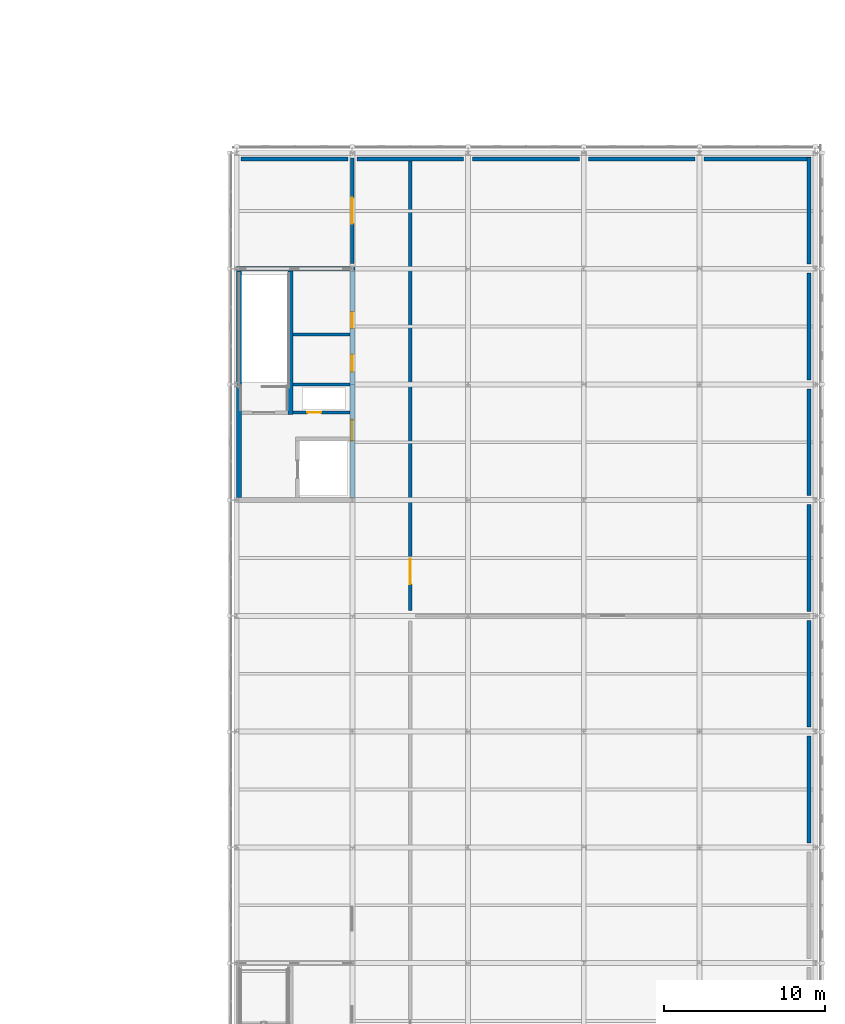
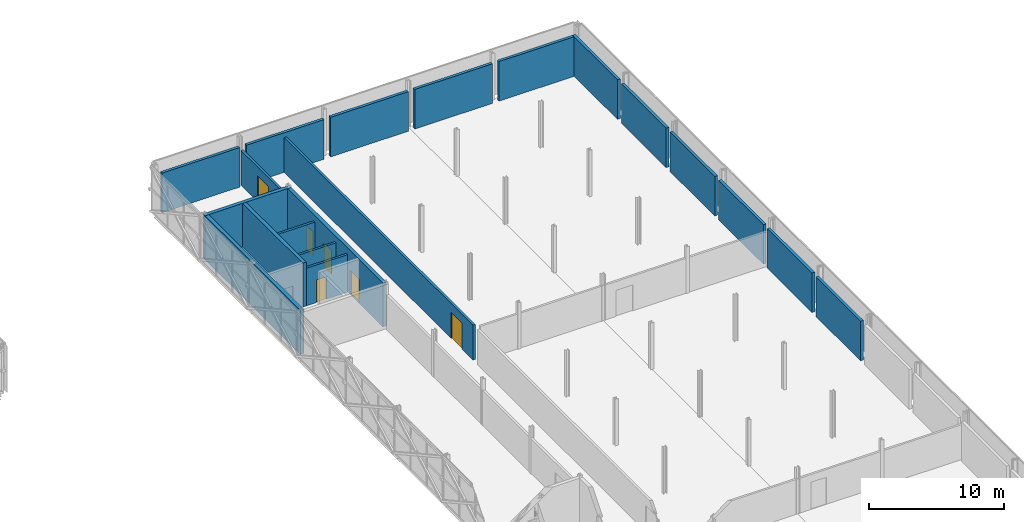
# One storey, part 126 of 146: 20 walls, 6 doors, 6 openings.
"""IFC4 building model written with IfcOpenShell, lengths in metres."""

import ifcopenshell
import ifcopenshell.guid

model = None  # the IFC model being written
_history = None  # IfcOwnerHistory: only IFC2X3 demands one
_inside = {}  # id of a spatial element -> (the spatial element, [elements in it])
_under = {}  # id of a project, library or spatial element -> (it, [spatial elements below it])
_declared = {}  # id of a project -> (the project, [libraries it declares])
_typed = {}  # id of a type object -> (the type object, [elements of that type])
_made_of = {}  # id of a material, layer set ... -> (it, [elements and type objects made of it])


def new_model(schema):
    """Start an empty IFC model of exactly this schema.

    Asked for "IFC4X3", IfcOpenShell would pick the latest addendum, in which some entities
    have other attributes; the version numbers below select the first issue.
    IFC2X3 requires an IfcOwnerHistory on every rooted entity: one is made here for all.
    """
    global model, _history
    if schema == "IFC4X3":
        model = ifcopenshell.file(schema_version=(4, 3, 0, 0))
    else:
        model = ifcopenshell.file(schema=schema)
    _inside.clear()
    _under.clear()
    _declared.clear()
    _typed.clear()
    _made_of.clear()
    _history = None
    if model.schema == "IFC2X3":
        org = make("IfcOrganization", Name="unknown")
        user = make(
            "IfcPersonAndOrganization",
            ThePerson=make("IfcPerson", FamilyName="unknown"),
            TheOrganization=org,
        )
        app = make(
            "IfcApplication",
            ApplicationDeveloper=org,
            Version="unknown",
            ApplicationFullName="unknown",
            ApplicationIdentifier="unknown",
        )
        _history = make(
            "IfcOwnerHistory",
            OwningUser=user,
            OwningApplication=app,
            ChangeAction="ADDED",
            CreationDate=0,
        )
    return model


def make(cls, **values):
    """One entity of the class cls with the attributes given. An attribute that is None is left unset."""
    return model.create_entity(
        cls, **{name: value for name, value in values.items() if value is not None}
    )


def rooted(cls, **values):
    """An entity with a GlobalId (a new one), such as an element, a storey or a relation."""
    return make(cls, GlobalId=ifcopenshell.guid.new(), OwnerHistory=_history, **values)


def si_unit(unit_type, name, prefix=None):
    """IfcSIUnit, for example si_unit("LENGTHUNIT", "METRE", prefix="MILLI")."""
    return make("IfcSIUnit", UnitType=unit_type, Prefix=prefix, Name=name)


def assignment(units):
    """IfcUnitAssignment: the units of a project."""
    return None if units is None else make("IfcUnitAssignment", Units=units)


def point(xyz):
    """IfcCartesianPoint."""
    return None if xyz is None else make("IfcCartesianPoint", Coordinates=xyz)


def direction(xyz):
    """IfcDirection."""
    return None if xyz is None else make("IfcDirection", DirectionRatios=xyz)


def frame(location, z_axis=None, x_axis=None):
    """IfcAxis2Placement3D, a coordinate frame: its origin and axes. An axis left out is left unset."""
    return make(
        "IfcAxis2Placement3D",
        Location=point(location),
        Axis=direction(z_axis),
        RefDirection=direction(x_axis),
    )


def frame_2d(location, x_axis=None):
    """IfcAxis2Placement2D, a coordinate frame in the plane: its origin and x axis."""
    return make(
        "IfcAxis2Placement2D", Location=point(location), RefDirection=direction(x_axis)
    )


def origin():
    """The frame at (0, 0, 0) with its axes left unset."""
    return frame((0.0, 0.0, 0.0))


def place(relative_to, where):
    """IfcLocalPlacement: puts the frame where relative to a parent placement (None: the world)."""
    return make(
        "IfcLocalPlacement", PlacementRelTo=relative_to, RelativePlacement=where
    )


def context(
    kind, dimensions, precision=None, world=None, true_north=None, identifier=None
):
    """IfcGeometricRepresentationContext, for example the 3D "Model" context."""
    return make(
        "IfcGeometricRepresentationContext",
        ContextIdentifier=identifier,
        ContextType=kind,
        CoordinateSpaceDimension=dimensions,
        Precision=precision,
        WorldCoordinateSystem=world,
        TrueNorth=true_north,
    )


def subcontext(parent, identifier, kind, view, scale=None):
    """IfcGeometricRepresentationSubContext, for example "Body" below "Model"."""
    return make(
        "IfcGeometricRepresentationSubContext",
        ContextIdentifier=identifier,
        ContextType=kind,
        ParentContext=parent,
        TargetScale=scale,
        TargetView=view,
    )


def project(units=None, contexts=None):
    """IfcProject with its units and contexts."""
    return rooted(
        "IfcProject",
        Name="project",
        RepresentationContexts=contexts,
        UnitsInContext=assignment(units),
    )


def spatial(cls, under=None, at=None, **own):
    """A site, building, storey or space (cls), placed at a placement, below another one or the project."""
    s = rooted(cls, ObjectPlacement=at, **own)
    if under is not None:
        _under.setdefault(under.id(), (under, []))[1].append(s)
    return s


def profile(cls, at=None, kind="AREA", **sizes):
    """A parametric profile (cls). Its sizes go by their IFC names, for example OverallWidth=200.0."""
    return make(cls, ProfileType=kind, Position=at, **sizes)


def rectangle(**sizes):
    """IfcRectangleProfileDef."""
    return profile("IfcRectangleProfileDef", **sizes)


def extrude(swept, where, along, depth):
    """IfcExtrudedAreaSolid: the profile swept, set in the frame where, extruded along a direction by depth."""
    return make(
        "IfcExtrudedAreaSolid",
        SweptArea=swept,
        Position=where,
        ExtrudedDirection=direction(along),
        Depth=depth,
    )


def shape(context_of_items, identifier, shape_type, items):
    """IfcShapeRepresentation: the items that make up one representation, for example the "Body"."""
    return make(
        "IfcShapeRepresentation",
        ContextOfItems=context_of_items,
        RepresentationIdentifier=identifier,
        RepresentationType=shape_type,
        Items=items,
    )


def material(Name=None, Category=None):
    """IfcMaterial."""
    return make("IfcMaterial", Name=Name, Category=Category)


def layer(
    of_material, thickness, ventilated=None, Name=None, Category=None, Priority=None
):
    """IfcMaterialLayer: one layer of a wall or slab, of a material (None: an air gap)."""
    return make(
        "IfcMaterialLayer",
        Material=of_material,
        LayerThickness=thickness,
        IsVentilated=ventilated,
        Name=Name,
        Category=Category,
        Priority=Priority,
    )


def layer_set(layers, Name=None):
    """IfcMaterialLayerSet."""
    return make("IfcMaterialLayerSet", MaterialLayers=layers, LayerSetName=Name)


def made_of(thing, what):
    """Note that an element or type object is made of a material, layer set ...; save() writes the relation."""
    if what is not None:
        _made_of.setdefault(what.id(), (what, []))[1].append(thing)
    return thing


def type_object(cls, material=None, **own):
    """A type object (cls), such as IfcWallType, which elements share."""
    return made_of(rooted(cls, **own), material)


def element(
    cls,
    number,
    at=None,
    inside=None,
    cuts=None,
    type_object=None,
    material=None,
    context=None,
    identifier="Body",
    shape_type=None,
    held_by="IfcProductDefinitionShape",
    body=None,
    shapes=None,
    **own,
):
    """One element of the class cls, such as IfcWall. Its Tag is "e" and its number.

    at: its placement. inside: the storey or other place that contains it. cuts: it is an
    opening in that element (IfcRelVoidsElement). A single representation is given by context,
    identifier, shape_type and body (its items); several are given by shapes. held_by: the class
    of the entity that holds the representations. save() writes the other relations.
    """
    e = rooted(cls, Tag="e%d" % number, ObjectPlacement=at, **own)
    if body is not None:
        shapes = [shape(context, identifier, shape_type, body)]
    if shapes is not None:
        e.Representation = make(held_by, Representations=shapes)
    if inside is not None:
        _inside.setdefault(inside.id(), (inside, []))[1].append(e)
    if cuts is not None:
        rooted(
            "IfcRelVoidsElement", RelatingBuildingElement=cuts, RelatedOpeningElement=e
        )
    if type_object is not None:
        _typed.setdefault(type_object.id(), (type_object, []))[1].append(e)
    return made_of(e, material)


def fill(opening, filler):
    """IfcRelFillsElement: the door or window that sits in an opening."""
    return rooted(
        "IfcRelFillsElement",
        RelatingOpeningElement=opening,
        RelatedBuildingElement=filler,
    )


def aggregate(whole, parts):
    """IfcRelAggregates: a whole, such as a stair, and the parts it consists of."""
    return rooted("IfcRelAggregates", RelatingObject=whole, RelatedObjects=parts)


def save(model, path):
    """Write the relations noted so far, then the file.

    IfcRelAggregates (storeys below a building ...), IfcRelContainedInSpatialStructure (elements
    in a storey), IfcRelDefinesByType, IfcRelAssociatesMaterial and IfcRelDeclares: one each for
    every whole, place, type object, material and project.
    """
    for whole, parts in _under.values():
        aggregate(whole, parts)
    for where, things in _inside.values():
        rooted(
            "IfcRelContainedInSpatialStructure",
            RelatedElements=things,
            RelatingStructure=where,
        )
    for kind, things in _typed.values():
        rooted("IfcRelDefinesByType", RelatedObjects=things, RelatingType=kind)
    for what, things in _made_of.values():
        rooted("IfcRelAssociatesMaterial", RelatedObjects=things, RelatingMaterial=what)
    for by, libraries in _declared.values():
        rooted("IfcRelDeclares", RelatingContext=by, RelatedDefinitions=libraries)
    model.write(path)


model = new_model("IFC4")

# Units and contexts
model_context = context("Model", 3, precision=1e-05, world=origin(), true_north=direction((0.0, 1.0)))
body_context = subcontext(model_context, "Body", "Model", "MODEL_VIEW")
ifc_project = project(units=[si_unit("LENGTHUNIT", "METRE"), si_unit("AREAUNIT", "SQUARE_METRE"), si_unit("VOLUMEUNIT", "CUBIC_METRE"), si_unit("PLANEANGLEUNIT", "RADIAN"), si_unit("MASSUNIT", "GRAM", prefix="KILO")], contexts=[model_context])

# Site, building, storey
site_placement = place(None, origin())
site = spatial("IfcSite", under=ifc_project, at=site_placement, CompositionType="ELEMENT")
building_placement = place(site_placement, origin())
building = spatial("IfcBuilding", under=site, at=building_placement, Name="Zlatovets Crest Museum", CompositionType="ELEMENT")
storey_placement = place(building_placement, frame((0.0, 0.0, 4.5)))
storey = spatial("IfcBuildingStorey", under=building, at=storey_placement, Name="L01", CompositionType="ELEMENT", Elevation=4.5)

# Walls
ifc_material_1 = material(Name="Concrete C35/45", Category="concrete")
ifc_layer_1 = layer(ifc_material_1, 0.300048828125)
ifc_layer_set_1 = layer_set([ifc_layer_1], Name="Concrete C35/45")
wall_type_1 = type_object("IfcWallType", Name="CoreWall_SW01", PredefinedType="SHEAR", material=ifc_layer_set_1)
wall_1_placement = place(storey_placement, frame((129.60009765625, 93.60009765625, 0.0), z_axis=(0.0, 0.0, 1.0), x_axis=(1.0, 0.0, 0.0)))
element("IfcWall", 1, at=wall_1_placement, inside=storey, type_object=wall_type_1, Name="Core C7 L01 North Shear Wall", PredefinedType="SHEAR", context=body_context, shape_type="SweptSolid", body=[
    extrude(rectangle(XDim=7.349853515625, YDim=0.300048828125, at=frame_2d((3.6748046875, 0.0))), origin(), (0.0, 0.0, 1.0), 3.97998046875),
])
wall_2_placement = place(storey_placement, frame((129.75, 79.35009765625, 0.0), z_axis=(0.0, 0.0, 1.0), x_axis=(0.0, 1.0, 0.0)))
element("IfcWall", 2, at=wall_2_placement, inside=storey, type_object=wall_type_1, Name="Core C7 L01 Perimeter Shear Wall", PredefinedType="SHEAR", context=body_context, shape_type="SweptSolid", body=[
    extrude(rectangle(XDim=14.099853515625, YDim=0.300048828125, at=frame_2d((7.0498046875, 0.0))), origin(), (0.0, 0.0, 1.0), 3.97998046875),
])

# Wall, openings, doors
wall_3_placement = place(storey_placement, frame((136.800048828125, 79.35009765625, 0.0), z_axis=(0.0, 0.0, 1.0), x_axis=(0.0, 1.0, 0.0)))
wall_3 = element("IfcWall", 3, at=wall_3_placement, inside=storey, type_object=wall_type_1, Name="Core C7 L01 Spine Shear Wall", PredefinedType="SHEAR", context=body_context, shape_type="SweptSolid", body=[
    extrude(rectangle(XDim=14.099853515625, YDim=0.300048828125, at=frame_2d((7.0498046875, 0.0))), origin(), (0.0, 0.0, 1.0), 3.97998046875),
])
opening_1_placement = place(wall_3_placement, frame((3.550048828125, 0.0, 0.0)))
opening_1 = element("IfcOpeningElement", 4, at=opening_1_placement, cuts=wall_3, Name="Opening FD-01", PredefinedType="OPENING", context=body_context, shape_type="SweptSolid", body=[
    extrude(rectangle(XDim=1.300048828125, YDim=2.199951171875, at=frame_2d((0.64990234375, 1.10009765625))), frame((0.0, 0.16015625, 0.0), z_axis=(0.0, -1.0, 0.0), x_axis=(1.0, 0.0, 0.0)), (0.0, 0.0, 1.0), 0.320068359375),
])
opening_2_placement = place(wall_3_placement, frame((7.85009765625, 0.0, 0.0)))
opening_2 = element("IfcOpeningElement", 5, at=opening_2_placement, cuts=wall_3, Name="Opening ID-02", PredefinedType="OPENING", context=body_context, shape_type="SweptSolid", body=[
    extrude(rectangle(XDim=1.050048828125, YDim=2.14990234375, at=frame_2d((0.52490234375, 1.074951171875))), frame((0.0, 0.16015625, 0.0), z_axis=(0.0, -1.0, 0.0), x_axis=(1.0, 0.0, 0.0)), (0.0, 0.0, 1.0), 0.320068359375),
])
opening_3_placement = place(wall_3_placement, frame((10.550048828125, 0.0, 0.0)))
opening_3 = element("IfcOpeningElement", 6, at=opening_3_placement, cuts=wall_3, Name="Opening ID-01", PredefinedType="OPENING", context=body_context, shape_type="SweptSolid", body=[
    extrude(rectangle(XDim=1.0, YDim=2.14990234375, at=frame_2d((0.5, 1.074951171875))), frame((0.0, 0.16015625, 0.0), z_axis=(0.0, -1.0, 0.0), x_axis=(1.0, 0.0, 0.0)), (0.0, 0.0, 1.0), 0.320068359375),
])
ifc_material_2 = material(Name="Smoke-sealed steel fire door", Category="steel")
door_type_1 = type_object("IfcDoorType", Name="IntDoor_FD-01", OperationType="NOTDEFINED", PredefinedType="DOOR", material=ifc_material_2)
door_1_placement = place(opening_1_placement, origin())
door_1 = element("IfcDoor", 7, at=door_1_placement, inside=storey, type_object=door_type_1, Name="CDOOR-C7-L01-LOB Core C7 L01 Lobby Fire Door", OperationType="SINGLE_SWING_LEFT", OverallHeight=2.199951171875, OverallWidth=1.300048828125, PredefinedType="DOOR", context=body_context, shape_type="SweptSolid", body=[
    extrude(rectangle(XDim=1.300048828125, YDim=2.199951171875, at=frame_2d((0.64990234375, 1.10009765625))), frame((0.0, 0.02490234375, 0.0), z_axis=(0.0, -1.0, 0.0), x_axis=(1.0, 0.0, 0.0)), (0.0, 0.0, 1.0), 0.050048828125),
])
fill(opening_1, door_1)
ifc_material_3 = material(Name="Solid oak museum room door")
door_type_2 = type_object("IfcDoorType", Name="IntDoor_ID-01", OperationType="NOTDEFINED", PredefinedType="DOOR", material=ifc_material_3)
door_2_placement = place(opening_3_placement, origin())
door_2 = element("IfcDoor", 8, at=door_2_placement, inside=storey, type_object=door_type_2, Name="CDOOR-C7-L01-WC Core C7 L01 Public Restroom Door", OperationType="SINGLE_SWING_RIGHT", OverallHeight=2.14990234375, OverallWidth=1.0, PredefinedType="DOOR", context=body_context, shape_type="SweptSolid", body=[
    extrude(rectangle(XDim=1.0, YDim=2.14990234375, at=frame_2d((0.5, 1.074951171875))), frame((0.0, 0.02490234375, 0.0), z_axis=(0.0, -1.0, 0.0), x_axis=(1.0, 0.0, 0.0)), (0.0, 0.0, 1.0), 0.050048828125),
])
fill(opening_3, door_2)
ifc_material_4 = material(Name="Accessible sanitary room door")
door_type_3 = type_object("IfcDoorType", Name="IntDoor_ID-02", OperationType="NOTDEFINED", PredefinedType="DOOR", material=ifc_material_4)
door_3_placement = place(opening_2_placement, origin())
door_3 = element("IfcDoor", 9, at=door_3_placement, inside=storey, type_object=door_type_3, Name="CDOOR-C7-L01-AWC Core C7 L01 Accessible WC Door", OperationType="SINGLE_SWING_LEFT", OverallHeight=2.14990234375, OverallWidth=1.050048828125, PredefinedType="DOOR", context=body_context, shape_type="SweptSolid", body=[
    extrude(rectangle(XDim=1.050048828125, YDim=2.14990234375, at=frame_2d((0.52490234375, 1.074951171875))), frame((0.0, 0.02490234375, 0.0), z_axis=(0.0, -1.0, 0.0), x_axis=(1.0, 0.0, 0.0)), (0.0, 0.0, 1.0), 0.050048828125),
])
fill(opening_2, door_3)

# Walls
wall_4_placement = place(storey_placement, frame((132.949951171875, 84.5400390625, 0.0), z_axis=(0.0, 0.0, 1.0), x_axis=(0.0, 1.0, 0.0)))
element("IfcWall", 10, at=wall_4_placement, inside=storey, type_object=wall_type_1, Name="Core C7 L01 Stair Divider Wall", PredefinedType="SHEAR", context=body_context, shape_type="SweptSolid", body=[
    extrude(rectangle(XDim=8.909912109375, YDim=0.300048828125, at=frame_2d((4.455078125, 0.0))), origin(), (0.0, 0.0, 1.0), 3.97998046875),
])
ifc_material_5 = material(Name="Insulated gallery conservation liner wall", Category="concrete")
ifc_layer_2 = layer(ifc_material_5, 0.300048828125)
ifc_layer_set_2 = layer_set([ifc_layer_2], Name="Insulated gallery conservation liner wall")
wall_type_2 = type_object("IfcWallType", Name="ExtWall_EW-02", PredefinedType="STANDARD", material=ifc_layer_set_2)
wall_5_placement = place(storey_placement, frame((165.219970703125, 57.8798828125, 0.0), z_axis=(0.0, 0.0, 1.0), x_axis=(0.0, 1.0, 0.0)))
element("IfcWall", 11, at=wall_5_placement, inside=storey, type_object=wall_type_2, Name="V5 L01 Interior Conservation Gallery Liner Wall", PredefinedType="STANDARD", context=body_context, shape_type="SweptSolid", body=[
    extrude(rectangle(XDim=6.64013671875, YDim=0.239990234375, at=frame_2d((3.320068359375, 0.0))), origin(), (0.0, 0.0, 1.0), 3.580078125),
])
for number, where, z_axis, x_axis, name in (
    (12, (165.219970703125, 65.080078125, 0.0), (0.0, 0.0, 1.0), (0.0, 1.0, 0.0), "V5 L01 Interior Conservation Gallery Liner Wall"),
    (13, (165.219970703125, 72.280029296875, 0.0), (0.0, 0.0, 1.0), (0.0, 1.0, 0.0), "V5 L01 Interior Conservation Gallery Liner Wall"),
):
    element("IfcWall", number, at=place(storey_placement, frame(where, z_axis=z_axis, x_axis=x_axis)), inside=storey, type_object=wall_type_2, Name=name, PredefinedType="STANDARD", context=body_context, shape_type="SweptSolid", body=[
        extrude(rectangle(XDim=6.639892578125, YDim=0.239990234375, at=frame_2d((3.31982421875, 0.0))), origin(), (0.0, 0.0, 1.0), 3.580078125),
    ])
for number, where, z_axis, x_axis, name in (
    (14, (165.219970703125, 79.47998046875, 0.0), (0.0, 0.0, 1.0), (0.0, 1.0, 0.0), "V5 L01 Interior Conservation Gallery Liner Wall"),
    (15, (165.219970703125, 86.679931640625, 0.0), (0.0, 0.0, 1.0), (0.0, 1.0, 0.0), "V5 L01 Interior Conservation Gallery Liner Wall"),
    (16, (165.219970703125, 93.8798828125, 0.0), (0.0, 0.0, 1.0), (0.0, 1.0, 0.0), "V5 L01 Interior Conservation Gallery Liner Wall"),
    (17, (165.320068359375, 100.419921875, 0.0), (0.0, 0.0, 1.0), (-1.0, 0.0, 0.0), "V5 L01 Interior Conservation Gallery Liner Wall"),
    (18, (158.1201171875, 100.419921875, 0.0), (0.0, 0.0, 1.0), (-1.0, 0.0, 0.0), "V5 L01 Interior Conservation Gallery Liner Wall"),
):
    element("IfcWall", number, at=place(storey_placement, frame(where, z_axis=z_axis, x_axis=x_axis)), inside=storey, type_object=wall_type_2, Name=name, PredefinedType="STANDARD", context=body_context, shape_type="SweptSolid", body=[
        extrude(rectangle(XDim=6.64013671875, YDim=0.239990234375, at=frame_2d((3.320068359375, 0.0))), origin(), (0.0, 0.0, 1.0), 3.580078125),
    ])
for number, where, z_axis, x_axis, name in (
    (19, (150.919921875, 100.419921875, 0.0), (0.0, 0.0, 1.0), (-1.0, 0.0, 0.0), "V5 L01 Interior Conservation Gallery Liner Wall"),
    (20, (143.719970703125, 100.419921875, 0.0), (0.0, 0.0, 1.0), (-1.0, 0.0, 0.0), "V5 L01 Interior Conservation Gallery Liner Wall"),
):
    element("IfcWall", number, at=place(storey_placement, frame(where, z_axis=z_axis, x_axis=x_axis)), inside=storey, type_object=wall_type_2, Name=name, PredefinedType="STANDARD", context=body_context, shape_type="SweptSolid", body=[
        extrude(rectangle(XDim=6.639892578125, YDim=0.239990234375, at=frame_2d((3.31982421875, 0.0))), origin(), (0.0, 0.0, 1.0), 3.580078125),
    ])
wall_6_placement = place(storey_placement, frame((136.52001953125, 100.419921875, 0.0), z_axis=(0.0, 0.0, 1.0), x_axis=(-1.0, 0.0, 0.0)))
element("IfcWall", 21, at=wall_6_placement, inside=storey, type_object=wall_type_2, Name="V5 L01 Interior Conservation Gallery Liner Wall", PredefinedType="STANDARD", context=body_context, shape_type="SweptSolid", body=[
    extrude(rectangle(XDim=6.64013671875, YDim=0.239990234375, at=frame_2d((3.320068359375, 0.0))), origin(), (0.0, 0.0, 1.0), 3.580078125),
])

# Wall, opening, door
ifc_material_6 = material(Name="Gypsum-encased fire compartment partition")
ifc_layer_3 = layer(ifc_material_6, 0.199951171875)
ifc_layer_set_3 = layer_set([ifc_layer_3], Name="Gypsum-encased fire compartment partition")
wall_type_3 = type_object("IfcWallType", Name="PartWall_PT-01", PredefinedType="PARTITIONING", material=ifc_layer_set_3)
wall_7_placement = place(storey_placement, frame((140.39990234375, 72.320068359375, 0.0), z_axis=(0.0, 0.0, 1.0), x_axis=(0.0, 1.0, 0.0)))
wall_7 = element("IfcWall", 22, at=wall_7_placement, inside=storey, type_object=wall_type_3, Name="V5 L01 Interior Partition PT-01", PredefinedType="PARTITIONING", context=body_context, shape_type="SweptSolid", body=[
    extrude(rectangle(XDim=28.159912109375, YDim=0.199951171875, at=frame_2d((14.080078125, 0.0))), origin(), (0.0, 0.0, 1.0), 3.14990234375),
])
opening_4_placement = place(wall_7_placement, frame((1.648681640625, 0.0, 0.0)))
opening_4 = element("IfcOpeningElement", 23, at=opening_4_placement, cuts=wall_7, Name="Opening ID-04", PredefinedType="OPENING", context=body_context, shape_type="SweptSolid", body=[
    extrude(rectangle(XDim=1.60009765625, YDim=2.35009765625, at=frame_2d((0.800048828125, 1.175048828125))), frame((0.0, 0.10986328125, 0.0), z_axis=(0.0, -1.0, 0.0), x_axis=(1.0, 0.0, 0.0)), (0.0, 0.0, 1.0), 0.219970703125),
])
ifc_material_7 = material(Name="Gallery salon double portal door")
door_type_4 = type_object("IfcDoorType", Name="IntDoor_ID-04", OperationType="DOUBLE_DOOR_SINGLE_SWING", PredefinedType="DOOR", material=ifc_material_7)
door_4_placement = place(opening_4_placement, origin())
door_4 = element("IfcDoor", 24, at=door_4_placement, inside=storey, type_object=door_type_4, Name="IDOOR-V5-L01-0131 Conservation First Floor Corridor to Paper and Manuscript Conservation Laboratory Door", OperationType="DOUBLE_DOOR_SINGLE_SWING", OverallHeight=2.35009765625, OverallWidth=1.60009765625, PredefinedType="DOOR", context=body_context, shape_type="SweptSolid", body=[
    extrude(rectangle(XDim=1.60009765625, YDim=2.35009765625, at=frame_2d((0.800048828125, 1.175048828125))), frame((0.0, 0.02490234375, 0.0), z_axis=(0.0, -1.0, 0.0), x_axis=(1.0, 0.0, 0.0)), (0.0, 0.0, 1.0), 0.050048828125),
])
fill(opening_4, door_4)

wall_8_placement = place(storey_placement, frame((136.800048828125, 93.919921875, 0.0), z_axis=(0.0, 0.0, 1.0), x_axis=(0.0, 1.0, 0.0)))
wall_8 = element("IfcWall", 25, at=wall_8_placement, inside=storey, type_object=wall_type_3, Name="V5 L01 Interior Partition PT-01", PredefinedType="PARTITIONING", context=body_context, shape_type="SweptSolid", body=[
    extrude(rectangle(XDim=6.56005859375, YDim=0.199951171875, at=frame_2d((3.280029296875, 0.0))), origin(), (0.0, 0.0, 1.0), 3.14990234375),
])
opening_5_placement = place(wall_8_placement, frame((2.47998046875, 0.0, 0.0)))
opening_5 = element("IfcOpeningElement", 26, at=opening_5_placement, cuts=wall_8, Name="Opening ID-04", PredefinedType="OPENING", context=body_context, shape_type="SweptSolid", body=[
    extrude(rectangle(XDim=1.60009765625, YDim=2.35009765625, at=frame_2d((0.800048828125, 1.175048828125))), frame((0.0, 0.10986328125, 0.0), z_axis=(0.0, -1.0, 0.0), x_axis=(1.0, 0.0, 0.0)), (0.0, 0.0, 1.0), 0.219970703125),
])
door_5_placement = place(opening_5_placement, origin())
door_5 = element("IfcDoor", 27, at=door_5_placement, inside=storey, type_object=door_type_4, Name="IDOOR-V5-L01-0134 Conservation First Floor Corridor to Conservation Library Room Door", OperationType="DOUBLE_DOOR_SINGLE_SWING", OverallHeight=2.35009765625, OverallWidth=1.60009765625, PredefinedType="DOOR", context=body_context, shape_type="SweptSolid", body=[
    extrude(rectangle(XDim=1.60009765625, YDim=2.35009765625, at=frame_2d((0.800048828125, 1.175048828125))), frame((0.0, 0.02490234375, 0.0), z_axis=(0.0, -1.0, 0.0), x_axis=(1.0, 0.0, 0.0)), (0.0, 0.0, 1.0), 0.050048828125),
])
fill(opening_5, door_5)

ifc_material_8 = material(Name="Sanitary core acoustic service wall")
ifc_layer_4 = layer(ifc_material_8, 0.219970703125)
ifc_layer_set_4 = layer_set([ifc_layer_4], Name="Sanitary core acoustic service wall")
wall_type_4 = type_object("IfcWallType", Name="PartWall_PT-04", PredefinedType="PLUMBINGWALL", material=ifc_layer_set_4)
wall_9_placement = place(storey_placement, frame((133.10009765625, 84.64990234375, 0.0), z_axis=(0.0, 0.0, 1.0), x_axis=(1.0, 0.0, 0.0)))
wall_9 = element("IfcWall", 28, at=wall_9_placement, inside=storey, type_object=wall_type_4, Name="Core C7 L01 Riser Lobby Wall", PredefinedType="PLUMBINGWALL", context=body_context, shape_type="SweptSolid", body=[
    extrude(rectangle(XDim=3.5498046875, YDim=0.199951171875, at=frame_2d((1.77490234375, 0.0))), origin(), (0.0, 0.0, 1.0), 3.39990234375),
])
opening_6_placement = place(wall_9_placement, frame((0.89990234375, 0.0, 0.0)))
opening_6 = element("IfcOpeningElement", 29, at=opening_6_placement, cuts=wall_9, Name="Opening FD-03", PredefinedType="OPENING", context=body_context, shape_type="SweptSolid", body=[
    extrude(rectangle(XDim=0.85009765625, YDim=2.050048828125, at=frame_2d((0.425048828125, 1.02490234375))), frame((0.0, 0.10986328125, 0.0), z_axis=(0.0, -1.0, 0.0), x_axis=(1.0, 0.0, 0.0)), (0.0, 0.0, 1.0), 0.219970703125),
])
ifc_material_9 = material(Name="Steel riser shaft access fire door", Category="steel")
door_type_5 = type_object("IfcDoorType", Name="IntDoor_FD-03", OperationType="NOTDEFINED", PredefinedType="TRAPDOOR", material=ifc_material_9)
door_6_placement = place(opening_6_placement, origin())
door_6 = element("IfcDoor", 30, at=door_6_placement, inside=storey, type_object=door_type_5, Name="CDOOR-C7-L01-RIS Core C7 L01 Riser Access Door", OperationType="SINGLE_SWING_RIGHT", OverallHeight=2.050048828125, OverallWidth=0.85009765625, PredefinedType="TRAPDOOR", context=body_context, shape_type="SweptSolid", body=[
    extrude(rectangle(XDim=0.85009765625, YDim=2.050048828125, at=frame_2d((0.425048828125, 1.02490234375))), frame((0.0, 0.02490234375, 0.0), z_axis=(0.0, -1.0, 0.0), x_axis=(1.0, 0.0, 0.0)), (0.0, 0.0, 1.0), 0.050048828125),
])
fill(opening_6, door_6)

# Walls
for number, where, z_axis, x_axis, name in (
    (31, (133.10009765625, 86.39990234375, 0.0), (0.0, 0.0, 1.0), (1.0, 0.0, 0.0), "Core C7 L01 Sanitary Divider"),
    (32, (133.10009765625, 89.5, 0.0), (0.0, 0.0, 1.0), (1.0, 0.0, 0.0), "Core C7 L01 Sanitary Divider"),
):
    element("IfcWall", number, at=place(storey_placement, frame(where, z_axis=z_axis, x_axis=x_axis)), inside=storey, type_object=wall_type_4, Name=name, PredefinedType="PLUMBINGWALL", context=body_context, shape_type="SweptSolid", body=[
        extrude(rectangle(XDim=3.5498046875, YDim=0.199951171875, at=frame_2d((1.77490234375, 0.0))), origin(), (0.0, 0.0, 1.0), 3.39990234375),
    ])

save(model, "model.ifc")
